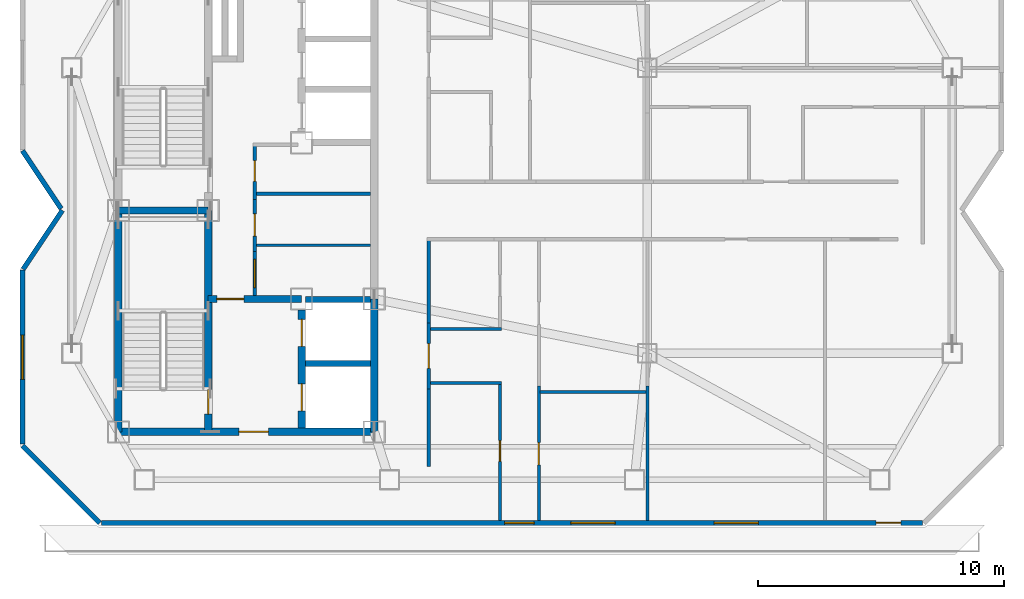
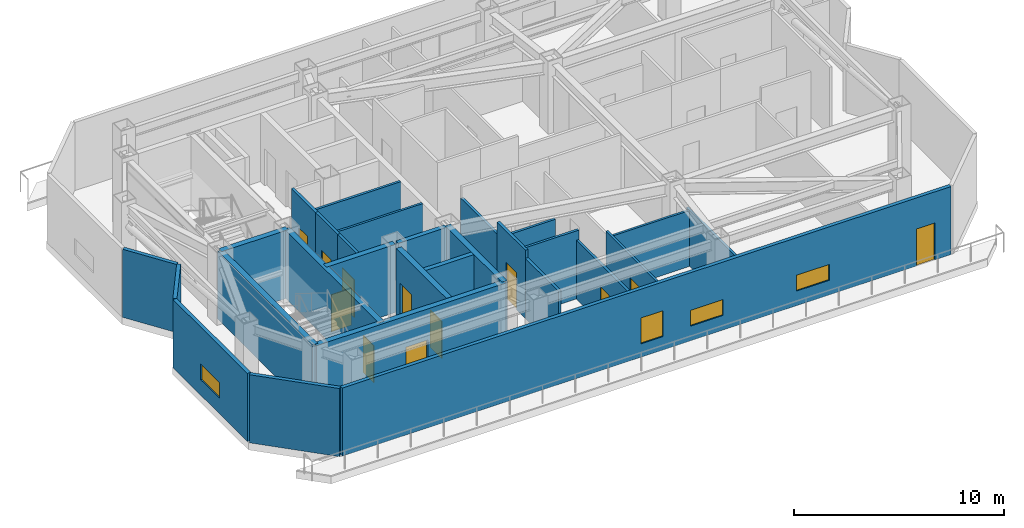
# One storey, part 5 of 12: 28 walls, 12 doors, 4 windows, 16 openings.
"""IFC4 building model written with IfcOpenShell, lengths in metres."""

from ifc_helpers import new_model, si_unit, direction, frame, frame_2d, origin, place, context, subcontext, project, spatial, rectangle, extrude, material, layer, layer_set, type_object, element, fill, save


model = new_model("IFC4")

# Units and contexts
model_context = context("Model", 3, precision=1e-05, world=origin(), true_north=direction((0.0, 1.0)))
body_context = subcontext(model_context, "Body", "Model", "MODEL_VIEW")
ifc_project = project(units=[si_unit("LENGTHUNIT", "METRE"), si_unit("AREAUNIT", "SQUARE_METRE"), si_unit("VOLUMEUNIT", "CUBIC_METRE"), si_unit("PLANEANGLEUNIT", "RADIAN"), si_unit("MASSUNIT", "GRAM", prefix="KILO")], contexts=[model_context])

# Site, building, storey
site_placement = place(None, origin())
site = spatial("IfcSite", under=ifc_project, at=site_placement, CompositionType="ELEMENT")
building_placement = place(site_placement, origin())
building = spatial("IfcBuilding", under=site, at=building_placement, Name="Khamvora Tower", CompositionType="ELEMENT")
storey_placement = place(building_placement, frame((0.0, 0.0, 286.25)))
storey = spatial("IfcBuildingStorey", under=building, at=storey_placement, Name="L73", CompositionType="ELEMENT", Elevation=286.25)

# Wall
ifc_material_1 = material(Name="Concrete C50/60", Category="concrete")
ifc_layer_1 = layer(ifc_material_1, 0.300048828125)
ifc_layer_set_1 = layer_set([ifc_layer_1], Name="Concrete C50/60")
wall_type_1 = type_object("IfcWallType", Name="WAL-CORE-300", PredefinedType="SHEAR", material=ifc_layer_set_1)
wall_1_placement = place(storey_placement, frame((29.0, 19.0, 0.0), z_axis=(0.0, 0.0, 1.0), x_axis=(0.0, 1.0, 0.0)))
element("IfcWall", 1, at=wall_1_placement, inside=storey, type_object=wall_type_1, Name="L73 central core west south wall", PredefinedType="SHEAR", context=body_context, shape_type="SweptSolid", body=[
    extrude(rectangle(XDim=9.0, YDim=0.300048828125, at=frame_2d((4.5, 0.0))), origin(), (0.0, 0.0, 1.0), 3.949951171875),
])

# Wall, opening, door
wall_2_placement = place(storey_placement, frame((29.0, 19.0, 0.0), z_axis=(0.0, 0.0, 1.0), x_axis=(1.0, 0.0, 0.0)))
wall_2 = element("IfcWall", 2, at=wall_2_placement, inside=storey, type_object=wall_type_1, Name="L73 central core south wall", PredefinedType="SHEAR", context=body_context, shape_type="SweptSolid", body=[
    extrude(rectangle(XDim=10.39990234375, YDim=0.300048828125, at=frame_2d((5.199951171875, 0.0))), origin(), (0.0, 0.0, 1.0), 3.949951171875),
])
opening_1_placement = place(wall_2_placement, frame((4.89990234375, 0.0, 0.0)))
opening_1 = element("IfcOpeningElement", 3, at=opening_1_placement, cuts=wall_2, Name="Opening D-CR1", PredefinedType="OPENING", context=body_context, shape_type="SweptSolid", body=[
    extrude(rectangle(XDim=1.199951171875, YDim=2.14990234375, at=frame_2d((0.60009765625, 1.074951171875))), frame((0.0, 0.159912109375, 0.0), z_axis=(0.0, -1.0, 0.0), x_axis=(1.0, 0.0, 0.0)), (0.0, 0.0, 1.0), 0.320068359375),
])
ifc_material_2 = material(Name="Powder-Coated Steel and Hardwood Leaf", Category="steel")
door_type_1 = type_object("IfcDoorType", Name="DOR-CORR-1200", OperationType="NOTDEFINED", PredefinedType="DOOR", material=ifc_material_2)
door_1_placement = place(opening_1_placement, origin())
door_1 = element("IfcDoor", 4, at=door_1_placement, inside=storey, type_object=door_type_1, Name="L73 south core lobby to corridor fire door", OperationType="SINGLE_SWING_LEFT", OverallHeight=2.14990234375, OverallWidth=1.199951171875, PredefinedType="DOOR", context=body_context, shape_type="SweptSolid", body=[
    extrude(rectangle(XDim=1.199951171875, YDim=2.14990234375, at=frame_2d((0.60009765625, 1.074951171875))), frame((0.0, 0.02490234375, 0.0), z_axis=(0.0, -1.0, 0.0), x_axis=(1.0, 0.0, 0.0)), (0.0, 0.0, 1.0), 0.050048828125),
])
fill(opening_1, door_1)

# Wall
wall_3_placement = place(storey_placement, frame((39.39990234375, 19.0, 0.0), z_axis=(0.0, 0.0, 1.0), x_axis=(0.0, 1.0, 0.0)))
element("IfcWall", 5, at=wall_3_placement, inside=storey, type_object=wall_type_1, Name="L73 central core east south wall", PredefinedType="SHEAR", context=body_context, shape_type="SweptSolid", body=[
    extrude(rectangle(XDim=5.39990234375, YDim=0.300048828125, at=frame_2d((2.699951171875, 0.0))), origin(), (0.0, 0.0, 1.0), 3.949951171875),
])

# Wall, opening, door
wall_4_placement = place(storey_placement, frame((32.64990234375, 19.0, 0.0), z_axis=(0.0, 0.0, 1.0), x_axis=(0.0, 1.0, 0.0)))
wall_4 = element("IfcWall", 6, at=wall_4_placement, inside=storey, type_object=wall_type_1, Name="L73 central core stair south spine wall", PredefinedType="SHEAR", context=body_context, shape_type="SweptSolid", body=[
    extrude(rectangle(XDim=9.0, YDim=0.300048828125, at=frame_2d((4.5, 0.0))), origin(), (0.0, 0.0, 1.0), 3.949951171875),
])
opening_2_placement = place(wall_4_placement, frame((0.719970703125, 0.0, 0.0)))
opening_2 = element("IfcOpeningElement", 7, at=opening_2_placement, cuts=wall_4, Name="Opening D-ST1", PredefinedType="OPENING", context=body_context, shape_type="SweptSolid", body=[
    extrude(rectangle(XDim=1.0, YDim=2.14990234375, at=frame_2d((0.5, 1.074951171875))), frame((0.0, 0.159912109375, 0.0), z_axis=(0.0, -1.0, 0.0), x_axis=(1.0, 0.0, 0.0)), (0.0, 0.0, 1.0), 0.320068359375),
])
door_type_2 = type_object("IfcDoorType", Name="DOR-STAIR-1000", OperationType="NOTDEFINED", PredefinedType="DOOR", material=ifc_material_2)
door_2_placement = place(opening_2_placement, origin())
door_2 = element("IfcDoor", 8, at=door_2_placement, inside=storey, type_object=door_type_2, Name="L73 exit stair ST-01 fire door", OperationType="SINGLE_SWING_RIGHT", OverallHeight=2.14990234375, OverallWidth=1.0, PredefinedType="DOOR", context=body_context, shape_type="SweptSolid", body=[
    extrude(rectangle(XDim=1.0, YDim=2.14990234375, at=frame_2d((0.5, 1.074951171875))), frame((0.0, 0.02490234375, 0.0), z_axis=(0.0, -1.0, 0.0), x_axis=(1.0, 0.0, 0.0)), (0.0, 0.0, 1.0), 0.050048828125),
])
fill(opening_2, door_2)

# Wall
wall_5_placement = place(storey_placement, frame((29.0, 28.0, 0.0), z_axis=(0.0, 0.0, 1.0), x_axis=(1.0, 0.0, 0.0)))
element("IfcWall", 9, at=wall_5_placement, inside=storey, type_object=wall_type_1, Name="L73 central core stair cross wall", PredefinedType="SHEAR", context=body_context, shape_type="SweptSolid", body=[
    extrude(rectangle(XDim=3.64990234375, YDim=0.300048828125, at=frame_2d((1.824951171875, 0.0))), origin(), (0.0, 0.0, 1.0), 3.949951171875),
])

# Wall, opening, door
wall_6_placement = place(storey_placement, frame((32.64990234375, 24.39990234375, 0.0), z_axis=(0.0, 0.0, 1.0), x_axis=(1.0, 0.0, 0.0)))
wall_6 = element("IfcWall", 10, at=wall_6_placement, inside=storey, type_object=wall_type_1, Name="L73 central core firefighting lobby north wall", PredefinedType="SHEAR", context=body_context, shape_type="SweptSolid", body=[
    extrude(rectangle(XDim=3.800048828125, YDim=0.300048828125, at=frame_2d((1.89990234375, 0.0))), origin(), (0.0, 0.0, 1.0), 3.949951171875),
])
opening_3_placement = place(wall_6_placement, frame((0.35009765625, 0.0, 0.0)))
opening_3 = element("IfcOpeningElement", 11, at=opening_3_placement, cuts=wall_6, Name="Opening D-FF1", PredefinedType="OPENING", context=body_context, shape_type="SweptSolid", body=[
    extrude(rectangle(XDim=1.10009765625, YDim=2.14990234375, at=frame_2d((0.550048828125, 1.074951171875))), frame((0.0, 0.159912109375, 0.0), z_axis=(0.0, -1.0, 0.0), x_axis=(1.0, 0.0, 0.0)), (0.0, 0.0, 1.0), 0.320068359375),
])
door_type_3 = type_object("IfcDoorType", Name="DOR-FFLOB-1100", OperationType="NOTDEFINED", PredefinedType="DOOR", material=ifc_material_2)
door_3_placement = place(opening_3_placement, origin())
door_3 = element("IfcDoor", 12, at=door_3_placement, inside=storey, type_object=door_type_3, Name="L73 firefighting lobby smoke-seal fire door", OperationType="SINGLE_SWING_RIGHT", OverallHeight=2.14990234375, OverallWidth=1.10009765625, PredefinedType="DOOR", context=body_context, shape_type="SweptSolid", body=[
    extrude(rectangle(XDim=1.10009765625, YDim=2.14990234375, at=frame_2d((0.550048828125, 1.074951171875))), frame((0.0, 0.02490234375, 0.0), z_axis=(0.0, -1.0, 0.0), x_axis=(1.0, 0.0, 0.0)), (0.0, 0.0, 1.0), 0.050048828125),
])
fill(opening_3, door_3)

# Wall, openings, doors
wall_7_placement = place(storey_placement, frame((36.449951171875, 19.154052734375, 0.0), z_axis=(0.0, 0.0, 1.0), x_axis=(0.0, 1.0, 0.0)))
wall_7 = element("IfcWall", 13, at=wall_7_placement, inside=storey, type_object=wall_type_1, Name="L73 central core lift bank south wall", PredefinedType="SHEAR", context=body_context, shape_type="SweptSolid", body=[
    extrude(rectangle(XDim=4.7958984375, YDim=0.300048828125, at=frame_2d((2.39794921875, 0.0))), origin(), (0.0, 0.0, 1.0), 3.949951171875),
])
opening_4_placement = place(wall_7_placement, frame((0.696044921875, 0.0, 0.0)))
opening_4 = element("IfcOpeningElement", 14, at=opening_4_placement, cuts=wall_7, Name="Opening LD-FFL", PredefinedType="OPENING", context=body_context, shape_type="SweptSolid", body=[
    extrude(rectangle(XDim=1.10009765625, YDim=2.14990234375, at=frame_2d((0.550048828125, 1.074951171875))), frame((0.0, 0.159912109375, 0.0), z_axis=(0.0, -1.0, 0.0), x_axis=(1.0, 0.0, 0.0)), (0.0, 0.0, 1.0), 0.320068359375),
])
opening_5_placement = place(wall_7_placement, frame((3.31591796875, 0.0, 0.0)))
opening_5 = element("IfcOpeningElement", 15, at=opening_5_placement, cuts=wall_7, Name="Opening LD-FFL", PredefinedType="OPENING", context=body_context, shape_type="SweptSolid", body=[
    extrude(rectangle(XDim=1.10009765625, YDim=2.14990234375, at=frame_2d((0.550048828125, 1.074951171875))), frame((0.0, 0.159912109375, 0.0), z_axis=(0.0, -1.0, 0.0), x_axis=(1.0, 0.0, 0.0)), (0.0, 0.0, 1.0), 0.320068359375),
])
door_type_4 = type_object("IfcDoorType", Name="DOR-LIFT-1100", OperationType="SLIDING_TO_LEFT", PredefinedType="DOOR", material=ifc_material_2)
door_4_placement = place(opening_4_placement, origin())
door_4 = element("IfcDoor", 16, at=door_4_placement, inside=storey, type_object=door_type_4, Name="L73 lift landing sliding door FFL-01", OperationType="SLIDING_TO_LEFT", OverallHeight=2.14990234375, OverallWidth=1.10009765625, PredefinedType="DOOR", context=body_context, shape_type="SweptSolid", body=[
    extrude(rectangle(XDim=1.10009765625, YDim=2.14990234375, at=frame_2d((0.550048828125, 1.074951171875))), frame((0.0, 0.02490234375, 0.0), z_axis=(0.0, -1.0, 0.0), x_axis=(1.0, 0.0, 0.0)), (0.0, 0.0, 1.0), 0.050048828125),
])
fill(opening_4, door_4)
door_5_placement = place(opening_5_placement, origin())
door_5 = element("IfcDoor", 17, at=door_5_placement, inside=storey, type_object=door_type_4, Name="L73 lift landing sliding door FFL-02", OperationType="SLIDING_TO_LEFT", OverallHeight=2.14990234375, OverallWidth=1.10009765625, PredefinedType="DOOR", context=body_context, shape_type="SweptSolid", body=[
    extrude(rectangle(XDim=1.10009765625, YDim=2.14990234375, at=frame_2d((0.550048828125, 1.074951171875))), frame((0.0, 0.02490234375, 0.0), z_axis=(0.0, -1.0, 0.0), x_axis=(1.0, 0.0, 0.0)), (0.0, 0.0, 1.0), 0.050048828125),
])
fill(opening_5, door_5)

# Wall, opening, door
ifc_material_3 = material(Name="Fire-Rated Drywall and Steel Stud", Category="steel")
ifc_layer_2 = layer(ifc_material_3, 0.14990234375)
ifc_layer_set_2 = layer_set([ifc_layer_2], Name="Fire-Rated Drywall and Steel Stud")
wall_type_2 = type_object("IfcWallType", Name="WAL-CORR-150", PredefinedType="STANDARD", material=ifc_layer_set_2)
wall_8_placement = place(storey_placement, frame((34.544921875, 30.72998046875, 0.0), z_axis=(0.0, 0.0, 1.0), x_axis=(0.0, -1.0, 0.0)))
wall_8 = element("IfcWall", 18, at=wall_8_placement, inside=storey, type_object=wall_type_2, Name="L73 interior partition wall 002", PredefinedType="STANDARD", context=body_context, shape_type="SweptSolid", body=[
    extrude(rectangle(XDim=2.2939453125, YDim=0.14990234375, at=frame_2d((1.14697265625, 0.0))), origin(), (0.0, 0.0, 1.0), 3.949951171875),
])
opening_6_placement = place(wall_8_placement, frame((0.700927734375, 0.0, 0.0)))
opening_6 = element("IfcOpeningElement", 19, at=opening_6_placement, cuts=wall_8, Name="Opening D-WC1", PredefinedType="OPENING", context=body_context, shape_type="SweptSolid", body=[
    extrude(rectangle(XDim=0.85009765625, YDim=2.10009765625, at=frame_2d((0.425048828125, 1.050048828125))), frame((0.0, 0.0849609375, 0.0), z_axis=(0.0, -1.0, 0.0), x_axis=(1.0, 0.0, 0.0)), (0.0, 0.0, 1.0), 0.169921875),
])
door_type_5 = type_object("IfcDoorType", Name="DOR-WET-850", OperationType="NOTDEFINED", PredefinedType="DOOR", material=ifc_material_2)
door_6_placement = place(opening_6_placement, origin())
door_6 = element("IfcDoor", 20, at=door_6_placement, inside=storey, type_object=door_type_5, Name="L73 interior door PHL-CS1", OperationType="SINGLE_SWING_LEFT", OverallHeight=2.10009765625, OverallWidth=0.85009765625, PredefinedType="DOOR", context=body_context, shape_type="SweptSolid", body=[
    extrude(rectangle(XDim=0.85009765625, YDim=2.10009765625, at=frame_2d((0.425048828125, 1.050048828125))), frame((0.0, 0.02490234375, 0.0), z_axis=(0.0, -1.0, 0.0), x_axis=(1.0, 0.0, 0.0)), (0.0, 0.0, 1.0), 0.050048828125),
])
fill(opening_6, door_6)

wall_9_placement = place(storey_placement, frame((34.544921875, 28.43603515625, 0.0), z_axis=(0.0, 0.0, 1.0), x_axis=(0.0, -1.0, 0.0)))
wall_9 = element("IfcWall", 21, at=wall_9_placement, inside=storey, type_object=wall_type_2, Name="L73 interior partition wall 003", PredefinedType="STANDARD", context=body_context, shape_type="SweptSolid", body=[
    extrude(rectangle(XDim=2.10009765625, YDim=0.14990234375, at=frame_2d((1.050048828125, 0.0))), origin(), (0.0, 0.0, 1.0), 3.949951171875),
])
opening_7_placement = place(wall_9_placement, frame((0.5791015625, 0.0, 0.0)))
opening_7 = element("IfcOpeningElement", 22, at=opening_7_placement, cuts=wall_9, Name="Opening D-RM1", PredefinedType="OPENING", context=body_context, shape_type="SweptSolid", body=[
    extrude(rectangle(XDim=0.89990234375, YDim=2.10009765625, at=frame_2d((0.449951171875, 1.050048828125))), frame((0.0, 0.0849609375, 0.0), z_axis=(0.0, -1.0, 0.0), x_axis=(1.0, 0.0, 0.0)), (0.0, 0.0, 1.0), 0.169921875),
])
door_type_6 = type_object("IfcDoorType", Name="DOR-ROOM-900", OperationType="NOTDEFINED", PredefinedType="DOOR", material=ifc_material_2)
door_7_placement = place(opening_7_placement, origin())
door_7 = element("IfcDoor", 23, at=door_7_placement, inside=storey, type_object=door_type_6, Name="L73 interior door PHL-CS2", OperationType="SINGLE_SWING_RIGHT", OverallHeight=2.10009765625, OverallWidth=0.89990234375, PredefinedType="DOOR", context=body_context, shape_type="SweptSolid", body=[
    extrude(rectangle(XDim=0.89990234375, YDim=2.10009765625, at=frame_2d((0.449951171875, 1.050048828125))), frame((0.0, 0.02490234375, 0.0), z_axis=(0.0, -1.0, 0.0), x_axis=(1.0, 0.0, 0.0)), (0.0, 0.0, 1.0), 0.050048828125),
])
fill(opening_7, door_7)

wall_10_placement = place(storey_placement, frame((34.544921875, 26.3359375, 0.0), z_axis=(0.0, 0.0, 1.0), x_axis=(0.0, -1.0, 0.0)))
wall_10 = element("IfcWall", 24, at=wall_10_placement, inside=storey, type_object=wall_type_2, Name="L73 interior partition wall 004", PredefinedType="STANDARD", context=body_context, shape_type="SweptSolid", body=[
    extrude(rectangle(XDim=1.7919921875, YDim=0.14990234375, at=frame_2d((0.89599609375, 0.0))), origin(), (0.0, 0.0, 1.0), 3.949951171875),
])
opening_8_placement = place(wall_10_placement, frame((0.321044921875, 0.0, 0.0)))
opening_8 = element("IfcOpeningElement", 25, at=opening_8_placement, cuts=wall_10, Name="Opening D-SC1", PredefinedType="OPENING", context=body_context, shape_type="SweptSolid", body=[
    extrude(rectangle(XDim=1.14990234375, YDim=2.199951171875, at=frame_2d((0.574951171875, 1.10009765625))), frame((0.0, 0.0849609375, 0.0), z_axis=(0.0, -1.0, 0.0), x_axis=(1.0, 0.0, 0.0)), (0.0, 0.0, 1.0), 0.169921875),
])
door_type_7 = type_object("IfcDoorType", Name="DOR-SCHL-1150", OperationType="NOTDEFINED", PredefinedType="DOOR", material=ifc_material_2)
door_8_placement = place(opening_8_placement, origin())
door_8 = element("IfcDoor", 26, at=door_8_placement, inside=storey, type_object=door_type_7, Name="L73 interior door PHL-CS3", OperationType="SINGLE_SWING_LEFT", OverallHeight=2.199951171875, OverallWidth=1.14990234375, PredefinedType="DOOR", context=body_context, shape_type="SweptSolid", body=[
    extrude(rectangle(XDim=1.14990234375, YDim=2.199951171875, at=frame_2d((0.574951171875, 1.10009765625))), frame((0.0, 0.02490234375, 0.0), z_axis=(0.0, -1.0, 0.0), x_axis=(1.0, 0.0, 0.0)), (0.0, 0.0, 1.0), 0.050048828125),
])
fill(opening_8, door_8)

wall_11_placement = place(storey_placement, frame((41.614990234375, 23.43310546875, 0.0), z_axis=(0.0, 0.0, 1.0), x_axis=(0.0, -1.0, 0.0)))
wall_11 = element("IfcWall", 27, at=wall_11_placement, inside=storey, type_object=wall_type_2, Name="L73 interior partition wall 010", PredefinedType="STANDARD", context=body_context, shape_type="SweptSolid", body=[
    extrude(rectangle(XDim=2.697998046875, YDim=0.14990234375, at=frame_2d((1.34912109375, 0.0))), origin(), (0.0, 0.0, 1.0), 3.949951171875),
])
opening_9_placement = place(wall_11_placement, frame((0.84912109375, 0.0, 0.0)))
opening_9 = element("IfcOpeningElement", 28, at=opening_9_placement, cuts=wall_11, Name="Opening D-U1", PredefinedType="OPENING", context=body_context, shape_type="SweptSolid", body=[
    extrude(rectangle(XDim=1.0, YDim=2.14990234375, at=frame_2d((0.5, 1.074951171875))), frame((0.0, 0.0849609375, 0.0), z_axis=(0.0, -1.0, 0.0), x_axis=(1.0, 0.0, 0.0)), (0.0, 0.0, 1.0), 0.169921875),
])
door_type_8 = type_object("IfcDoorType", Name="DOR-UNIT-1000", OperationType="NOTDEFINED", PredefinedType="DOOR", material=ifc_material_2)
door_9_placement = place(opening_9_placement, origin())
door_9 = element("IfcDoor", 29, at=door_9_placement, inside=storey, type_object=door_type_8, Name="L73 interior door COR-73BH", OperationType="SINGLE_SWING_RIGHT", OverallHeight=2.14990234375, OverallWidth=1.0, PredefinedType="DOOR", context=body_context, shape_type="SweptSolid", body=[
    extrude(rectangle(XDim=1.0, YDim=2.14990234375, at=frame_2d((0.5, 1.074951171875))), frame((0.0, 0.02490234375, 0.0), z_axis=(0.0, -1.0, 0.0), x_axis=(1.0, 0.0, 0.0)), (0.0, 0.0, 1.0), 0.050048828125),
])
fill(opening_9, door_9)

# Walls
wall_12_placement = place(storey_placement, frame((41.614990234375, 26.89794921875, 0.0), z_axis=(0.0, 0.0, 1.0), x_axis=(0.0, -1.0, 0.0)))
element("IfcWall", 30, at=wall_12_placement, inside=storey, type_object=wall_type_2, Name="L73 interior partition wall 012", PredefinedType="STANDARD", context=body_context, shape_type="SweptSolid", body=[
    extrude(rectangle(XDim=3.46484375, YDim=0.14990234375, at=frame_2d((1.732421875, 0.0))), origin(), (0.0, 0.0, 1.0), 3.2451171875),
])
wall_13_placement = place(storey_placement, frame((41.614990234375, 20.735107421875, 0.0), z_axis=(0.0, 0.0, 1.0), x_axis=(0.0, -1.0, 0.0)))
element("IfcWall", 31, at=wall_13_placement, inside=storey, type_object=wall_type_2, Name="L73 interior partition wall 013", PredefinedType="STANDARD", context=body_context, shape_type="SweptSolid", body=[
    extrude(rectangle(XDim=3.135009765625, YDim=0.14990234375, at=frame_2d((1.5673828125, 0.0))), origin(), (0.0, 0.0, 1.0), 3.47705078125),
])
ifc_material_4 = material(Name="Precast concrete C40/50", Category="concrete")
ifc_layer_3 = layer(ifc_material_4, 0.199951171875)
ifc_layer_set_3 = layer_set([ifc_layer_3], Name="Precast concrete C40/50")
wall_type_3 = type_object("IfcWallType", Name="WAL-EXT-200", PredefinedType="STANDARD", material=ifc_layer_set_3)
wall_14_placement = place(storey_placement, frame((28.240966796875, 15.300048828125, 0.0), z_axis=(0.0, 0.0, 1.0), x_axis=(-0.707106781187, 0.707106781187, 0.0)))
element("IfcWall", 32, at=wall_14_placement, inside=storey, type_object=wall_type_3, Name="L73 exterior facade wall 01.1", PredefinedType="STANDARD", context=body_context, shape_type="SweptSolid", body=[
    extrude(rectangle(XDim=4.44189453125, YDim=0.199951171875, at=frame_2d((2.220947265625, 0.0))), origin(), (0.0, 0.0, 1.0), 3.949951171875),
])

# Wall, opening, window
wall_15_placement = place(storey_placement, frame((25.10009765625, 18.50390625, 0.0), z_axis=(0.0, 0.0, 1.0), x_axis=(0.0, 1.0, 0.0)))
wall_15 = element("IfcWall", 33, at=wall_15_placement, inside=storey, type_object=wall_type_3, Name="L73 exterior facade wall 02.1", PredefinedType="STANDARD", context=body_context, shape_type="SweptSolid", body=[
    extrude(rectangle(XDim=7.066162109375, YDim=0.199951171875, at=frame_2d((3.533203125, 0.0))), origin(), (0.0, 0.0, 1.0), 3.949951171875),
])
opening_10_placement = place(wall_15_placement, frame((2.633056640625, 0.0, 0.89990234375)))
opening_10 = element("IfcOpeningElement", 34, at=opening_10_placement, cuts=wall_15, Name="Opening WN-09", PredefinedType="OPENING", context=body_context, shape_type="SweptSolid", body=[
    extrude(rectangle(XDim=1.800048828125, YDim=0.919921875, at=frame_2d((0.89990234375, 0.4599609375))), frame((0.0, 0.10986328125, 0.0), z_axis=(0.0, -1.0, 0.0), x_axis=(1.0, 0.0, 0.0)), (0.0, 0.0, 1.0), 0.219970703125),
])
ifc_material_5 = material(Name="Low-E Laminated Double Glazing", Category="glass")
window_type_1 = type_object("IfcWindowType", Name="WIN-CLR-1800x920", PartitioningType="SINGLE_PANEL", PredefinedType="WINDOW", material=ifc_material_5)
window_1_placement = place(opening_10_placement, origin())
window_1 = element("IfcWindow", 35, at=window_1_placement, inside=storey, type_object=window_type_1, Name="L73 vision window 02.1.01", OverallHeight=0.919921875, OverallWidth=1.800048828125, PartitioningType="SINGLE_PANEL", PredefinedType="WINDOW", context=body_context, shape_type="SweptSolid", body=[
    extrude(rectangle(XDim=1.800048828125, YDim=0.919921875, at=frame_2d((0.89990234375, 0.4599609375))), frame((0.0, 0.030029296875, 0.0), z_axis=(0.0, -1.0, 0.0), x_axis=(1.0, 0.0, 0.0)), (0.0, 0.0, 1.0), 0.06005859375),
])
fill(opening_10, window_1)

# Walls
wall_16_placement = place(storey_placement, frame((25.1259765625, 25.60888671875, 0.0), z_axis=(0.0, 0.0, 1.0), x_axis=(0.554680590739, 0.832063364328, 0.0)))
element("IfcWall", 36, at=wall_16_placement, inside=storey, type_object=wall_type_3, Name="L73 exterior facade wall 03.1", PredefinedType="STANDARD", context=body_context, shape_type="SweptSolid", body=[
    extrude(rectangle(XDim=2.873779296875, YDim=0.199951171875, at=frame_2d((1.43701171875, 0.0))), origin(), (0.0, 0.0, 1.0), 3.949951171875),
])
wall_17_placement = place(storey_placement, frame((26.674072265625, 28.069091796875, 0.0), z_axis=(0.0, 0.0, 1.0), x_axis=(-0.554720052174, 0.832037056696, 0.0)))
element("IfcWall", 37, at=wall_17_placement, inside=storey, type_object=wall_type_3, Name="L73 exterior facade wall 04.1", PredefinedType="STANDARD", context=body_context, shape_type="SweptSolid", body=[
    extrude(rectangle(XDim=2.83740234375, YDim=0.199951171875, at=frame_2d((1.418701171875, 0.0))), origin(), (0.0, 0.0, 1.0), 3.949951171875),
])

# Wall, openings, door, windows
wall_18_placement = place(storey_placement, frame((61.696044921875, 15.300048828125, 0.0), z_axis=(0.0, 0.0, 1.0), x_axis=(-1.0, 0.0, 0.0)))
wall_18 = element("IfcWall", 38, at=wall_18_placement, inside=storey, type_object=wall_type_3, Name="L73 exterior facade wall 14.1", PredefinedType="STANDARD", context=body_context, shape_type="SweptSolid", body=[
    extrude(rectangle(XDim=33.39306640625, YDim=0.199951171875, at=frame_2d((16.696533203125, 0.0))), origin(), (0.0, 0.0, 1.0), 3.949951171875),
])
opening_11_placement = place(wall_18_placement, frame((0.89111328125, 0.0, 0.0)))
opening_11 = element("IfcOpeningElement", 39, at=opening_11_placement, cuts=wall_18, Name="Opening BD-02", PredefinedType="OPENING", context=body_context, shape_type="SweptSolid", body=[
    extrude(rectangle(XDim=1.0, YDim=2.14990234375, at=frame_2d((0.5, 1.074951171875))), frame((0.0, 0.10986328125, 0.0), z_axis=(0.0, -1.0, 0.0), x_axis=(1.0, 0.0, 0.0)), (0.0, 0.0, 1.0), 0.219970703125),
])
opening_12_placement = place(wall_18_placement, frame((6.677978515625, 0.0, 0.85009765625)))
opening_12 = element("IfcOpeningElement", 40, at=opening_12_placement, cuts=wall_18, Name="Opening WN-09", PredefinedType="OPENING", context=body_context, shape_type="SweptSolid", body=[
    extrude(rectangle(XDim=1.800048828125, YDim=0.919921875, at=frame_2d((0.89990234375, 0.4599609375))), frame((0.0, 0.10986328125, 0.0), z_axis=(0.0, -1.0, 0.0), x_axis=(1.0, 0.0, 0.0)), (0.0, 0.0, 1.0), 0.219970703125),
])
opening_13_placement = place(wall_18_placement, frame((15.7958984375, 0.0, 0.780029296875)))
opening_13 = element("IfcOpeningElement", 41, at=opening_13_placement, cuts=wall_18, Name="Opening WN-03", PredefinedType="OPENING", context=body_context, shape_type="SweptSolid", body=[
    extrude(rectangle(XDim=1.199951171875, YDim=1.5, at=frame_2d((0.60009765625, 0.75))), frame((0.0, 0.10986328125, 0.0), z_axis=(0.0, -1.0, 0.0), x_axis=(1.0, 0.0, 0.0)), (0.0, 0.0, 1.0), 0.219970703125),
])
opening_14_placement = place(wall_18_placement, frame((12.5029296875, 0.0, 0.85009765625)))
opening_14 = element("IfcOpeningElement", 42, at=opening_14_placement, cuts=wall_18, Name="Opening WN-09", PredefinedType="OPENING", context=body_context, shape_type="SweptSolid", body=[
    extrude(rectangle(XDim=1.800048828125, YDim=0.919921875, at=frame_2d((0.89990234375, 0.4599609375))), frame((0.0, 0.10986328125, 0.0), z_axis=(0.0, -1.0, 0.0), x_axis=(1.0, 0.0, 0.0)), (0.0, 0.0, 1.0), 0.219970703125),
])
ifc_material_6 = material(Name="Anodised Aluminium and Laminated Safety Glass", Category="aluminium")
door_type_9 = type_object("IfcDoorType", Name="DOR-BAL-1000", OperationType="NOTDEFINED", PredefinedType="DOOR", material=ifc_material_6)
door_10_placement = place(opening_11_placement, origin())
door_10 = element("IfcDoor", 43, at=door_10_placement, inside=storey, type_object=door_type_9, Name="L73 stepped roof terrace access door S", OperationType="SLIDING_TO_LEFT", OverallHeight=2.14990234375, OverallWidth=1.0, PredefinedType="DOOR", context=body_context, shape_type="SweptSolid", body=[
    extrude(rectangle(XDim=1.0, YDim=2.14990234375, at=frame_2d((0.5, 1.074951171875))), frame((0.0, 0.02490234375, 0.0), z_axis=(0.0, -1.0, 0.0), x_axis=(1.0, 0.0, 0.0)), (0.0, 0.0, 1.0), 0.050048828125),
])
fill(opening_11, door_10)
window_2_placement = place(opening_12_placement, origin())
window_2 = element("IfcWindow", 44, at=window_2_placement, inside=storey, type_object=window_type_1, Name="L73 vision window 14.1.01", OverallHeight=0.919921875, OverallWidth=1.800048828125, PartitioningType="SINGLE_PANEL", PredefinedType="WINDOW", context=body_context, shape_type="SweptSolid", body=[
    extrude(rectangle(XDim=1.800048828125, YDim=0.919921875, at=frame_2d((0.89990234375, 0.4599609375))), frame((0.0, 0.030029296875, 0.0), z_axis=(0.0, -1.0, 0.0), x_axis=(1.0, 0.0, 0.0)), (0.0, 0.0, 1.0), 0.06005859375),
])
fill(opening_12, window_2)
window_3_placement = place(opening_14_placement, origin())
window_3 = element("IfcWindow", 45, at=window_3_placement, inside=storey, type_object=window_type_1, Name="L73 vision window 14.1.03", OverallHeight=0.919921875, OverallWidth=1.800048828125, PartitioningType="SINGLE_PANEL", PredefinedType="WINDOW", context=body_context, shape_type="SweptSolid", body=[
    extrude(rectangle(XDim=1.800048828125, YDim=0.919921875, at=frame_2d((0.89990234375, 0.4599609375))), frame((0.0, 0.030029296875, 0.0), z_axis=(0.0, -1.0, 0.0), x_axis=(1.0, 0.0, 0.0)), (0.0, 0.0, 1.0), 0.06005859375),
])
fill(opening_14, window_3)
window_type_2 = type_object("IfcWindowType", Name="WIN-VIS-1200x1500", PartitioningType="SINGLE_PANEL", PredefinedType="WINDOW", material=ifc_material_5)
window_4_placement = place(opening_13_placement, origin())
window_4 = element("IfcWindow", 46, at=window_4_placement, inside=storey, type_object=window_type_2, Name="L73 vision window 14.1.02", OverallHeight=1.5, OverallWidth=1.199951171875, PartitioningType="SINGLE_PANEL", PredefinedType="WINDOW", context=body_context, shape_type="SweptSolid", body=[
    extrude(rectangle(XDim=1.199951171875, YDim=1.5, at=frame_2d((0.60009765625, 0.75))), frame((0.0, 0.030029296875, 0.0), z_axis=(0.0, -1.0, 0.0), x_axis=(1.0, 0.0, 0.0)), (0.0, 0.0, 1.0), 0.06005859375),
])
fill(opening_13, window_4)

# Walls
ifc_material_7 = material(Name="Gypsum Plasterboard Partition", Category="gypsum")
ifc_layer_4 = layer(ifc_material_7, 0.1201171875)
ifc_layer_set_4 = layer_set([ifc_layer_4], Name="Gypsum Plasterboard Partition")
wall_type_4 = type_object("IfcWallType", Name="WAL-PART-120", PredefinedType="PARTITIONING", material=ifc_layer_set_4)
wall_19_placement = place(storey_placement, frame((39.256103515625, 26.5849609375, 0.0), z_axis=(0.0, 0.0, 1.0), x_axis=(-1.0, 0.0, 0.0)))
element("IfcWall", 47, at=wall_19_placement, inside=storey, type_object=wall_type_4, Name="L73 interior partition wall 006", PredefinedType="PARTITIONING", context=body_context, shape_type="SweptSolid", body=[
    extrude(rectangle(XDim=4.64404296875, YDim=0.1201171875, at=frame_2d((2.322021484375, 0.0))), origin(), (0.0, 0.0, 1.0), 3.949951171875),
])
wall_20_placement = place(storey_placement, frame((50.5048828125, 15.39208984375, 0.0), z_axis=(0.0, 0.0, 1.0), x_axis=(0.0, 1.0, 0.0)))
element("IfcWall", 48, at=wall_20_placement, inside=storey, type_object=wall_type_4, Name="L73 interior partition wall 025", PredefinedType="PARTITIONING", context=body_context, shape_type="SweptSolid", body=[
    extrude(rectangle(XDim=5.473876953125, YDim=0.1201171875, at=frame_2d((2.73681640625, 0.0))), origin(), (0.0, 0.0, 1.0), 3.2451171875),
])

# Wall, opening, door
wall_21_placement = place(storey_placement, frame((46.090087890625, 20.87109375, 0.0), z_axis=(0.0, 0.0, 1.0), x_axis=(0.0, -1.0, 0.0)))
wall_21 = element("IfcWall", 49, at=wall_21_placement, inside=storey, type_object=wall_type_4, Name="L73 interior partition wall 031", PredefinedType="PARTITIONING", context=body_context, shape_type="SweptSolid", body=[
    extrude(rectangle(XDim=5.47900390625, YDim=0.1201171875, at=frame_2d((2.739501953125, 0.0))), origin(), (0.0, 0.0, 1.0), 3.406982421875),
])
opening_15_placement = place(wall_21_placement, frame((2.31005859375, 0.0, 0.0)))
opening_15 = element("IfcOpeningElement", 50, at=opening_15_placement, cuts=wall_21, Name="Opening D-RM1", PredefinedType="OPENING", context=body_context, shape_type="SweptSolid", body=[
    extrude(rectangle(XDim=0.89990234375, YDim=2.10009765625, at=frame_2d((0.449951171875, 1.050048828125))), frame((0.0, 0.070068359375, 0.0), z_axis=(0.0, -1.0, 0.0), x_axis=(1.0, 0.0, 0.0)), (0.0, 0.0, 1.0), 0.14013671875),
])
door_11_placement = place(opening_15_placement, origin())
door_11 = element("IfcDoor", 51, at=door_11_placement, inside=storey, type_object=door_type_6, Name="L73 interior door 73BH-73BL", OperationType="SINGLE_SWING_LEFT", OverallHeight=2.10009765625, OverallWidth=0.89990234375, PredefinedType="DOOR", context=body_context, shape_type="SweptSolid", body=[
    extrude(rectangle(XDim=0.89990234375, YDim=2.10009765625, at=frame_2d((0.449951171875, 1.050048828125))), frame((0.0, 0.02490234375, 0.0), z_axis=(0.0, -1.0, 0.0), x_axis=(1.0, 0.0, 0.0)), (0.0, 0.0, 1.0), 0.050048828125),
])
fill(opening_15, door_11)

# Walls
wall_22_placement = place(storey_placement, frame((46.14404296875, 20.6220703125, 0.0), z_axis=(0.0, 0.0, 1.0), x_axis=(1.0, 0.0, 0.0)))
element("IfcWall", 52, at=wall_22_placement, inside=storey, type_object=wall_type_4, Name="L73 interior partition wall 033", PredefinedType="PARTITIONING", context=body_context, shape_type="SweptSolid", body=[
    extrude(rectangle(XDim=4.306884765625, YDim=0.1201171875, at=frame_2d((2.1533203125, 0.0))), origin(), (0.0, 0.0, 1.0), 3.2451171875),
])
ifc_material_8 = material(Name="Concrete C40/50", Category="concrete")
ifc_layer_5 = layer(ifc_material_8, 0.25)
ifc_layer_set_5 = layer_set([ifc_layer_5], Name="Concrete C40/50")
wall_type_5 = type_object("IfcWallType", Name="WAL-PODS-250", PredefinedType="SHEAR", material=ifc_layer_set_5)
for number, where, z_axis, x_axis, name in (
    (53, (36.60400390625, 21.77490234375, 0.0), (0.0, 0.0, 1.0), (1.0, 0.0, 0.0), "L73 lift shaft divider wall FFL-01"),
    (54, (36.60400390625, 24.375, 0.0), (0.0, 0.0, 1.0), (1.0, 0.0, 0.0), "L73 lift shaft divider wall FFL-02"),
):
    element("IfcWall", number, at=place(storey_placement, frame(where, z_axis=z_axis, x_axis=x_axis)), inside=storey, type_object=wall_type_5, Name=name, PredefinedType="SHEAR", context=body_context, shape_type="SweptSolid", body=[
        extrude(rectangle(XDim=2.64208984375, YDim=0.25, at=frame_2d((1.321044921875, 0.0))), origin(), (0.0, 0.0, 1.0), 3.949951171875),
    ])
ifc_material_9 = material(Name="Moisture-Resistant Plasterboard Partition", Category="gypsum")
ifc_layer_6 = layer(ifc_material_9, 0.135009765625)
ifc_layer_set_6 = layer_set([ifc_layer_6], Name="Moisture-Resistant Plasterboard Partition")
wall_type_6 = type_object("IfcWallType", Name="WAL-WET-135", PredefinedType="PARTITIONING", material=ifc_layer_set_6)
wall_23_placement = place(storey_placement, frame((39.256103515625, 28.68505859375, 0.0), z_axis=(0.0, 0.0, 1.0), x_axis=(-1.0, 0.0, 0.0)))
element("IfcWall", 55, at=wall_23_placement, inside=storey, type_object=wall_type_6, Name="L73 interior partition wall 005", PredefinedType="PARTITIONING", context=body_context, shape_type="SweptSolid", body=[
    extrude(rectangle(XDim=4.64404296875, YDim=0.135009765625, at=frame_2d((2.322021484375, 0.0))), origin(), (0.0, 0.0, 1.0), 3.949951171875),
])
wall_24_placement = place(storey_placement, frame((41.681884765625, 23.18408203125, 0.0), z_axis=(0.0, 0.0, 1.0), x_axis=(1.0, 0.0, 0.0)))
element("IfcWall", 56, at=wall_24_placement, inside=storey, type_object=wall_type_6, Name="L73 interior partition wall 027", PredefinedType="PARTITIONING", context=body_context, shape_type="SweptSolid", body=[
    extrude(rectangle(XDim=2.89306640625, YDim=0.135009765625, at=frame_2d((1.446533203125, 0.0))), origin(), (0.0, 0.0, 1.0), 3.2451171875),
])

# Wall, opening, door
wall_25_placement = place(storey_placement, frame((44.510009765625, 15.39208984375, 0.0), z_axis=(0.0, 0.0, 1.0), x_axis=(0.0, 1.0, 0.0)))
wall_25 = element("IfcWall", 57, at=wall_25_placement, inside=storey, type_object=wall_type_6, Name="L73 interior partition wall 029", PredefinedType="PARTITIONING", context=body_context, shape_type="SweptSolid", body=[
    extrude(rectangle(XDim=5.656982421875, YDim=0.135009765625, at=frame_2d((2.82861328125, 0.0))), origin(), (0.0, 0.0, 1.0), 3.406982421875),
])
opening_16_placement = place(wall_25_placement, frame((2.404052734375, 0.0, 0.0)))
opening_16 = element("IfcOpeningElement", 58, at=opening_16_placement, cuts=wall_25, Name="Opening D-RM2", PredefinedType="OPENING", context=body_context, shape_type="SweptSolid", body=[
    extrude(rectangle(XDim=0.85009765625, YDim=2.10009765625, at=frame_2d((0.425048828125, 1.050048828125))), frame((0.0, 0.077392578125, 0.0), z_axis=(0.0, -1.0, 0.0), x_axis=(1.0, 0.0, 0.0)), (0.0, 0.0, 1.0), 0.155029296875),
])
door_type_10 = type_object("IfcDoorType", Name="DOR-ROOM-850", OperationType="NOTDEFINED", PredefinedType="DOOR", material=ifc_material_2)
door_12_placement = place(opening_16_placement, origin())
door_12 = element("IfcDoor", 59, at=door_12_placement, inside=storey, type_object=door_type_10, Name="L73 interior door 73BH-73BK", OperationType="SINGLE_SWING_RIGHT", OverallHeight=2.10009765625, OverallWidth=0.85009765625, PredefinedType="DOOR", context=body_context, shape_type="SweptSolid", body=[
    extrude(rectangle(XDim=0.85009765625, YDim=2.10009765625, at=frame_2d((0.425048828125, 1.050048828125))), frame((0.0, 0.02490234375, 0.0), z_axis=(0.0, -1.0, 0.0), x_axis=(1.0, 0.0, 0.0)), (0.0, 0.0, 1.0), 0.050048828125),
])
fill(opening_16, door_12)

# Wall
wall_26_placement = place(storey_placement, frame((44.574951171875, 20.98388671875, 0.0), z_axis=(0.0, 0.0, 1.0), x_axis=(-1.0, 0.0, 0.0)))
element("IfcWall", 60, at=wall_26_placement, inside=storey, type_object=wall_type_6, Name="L73 interior partition wall 030", PredefinedType="PARTITIONING", context=body_context, shape_type="SweptSolid", body=[
    extrude(rectangle(XDim=2.89306640625, YDim=0.135009765625, at=frame_2d((1.446533203125, 0.0))), origin(), (0.0, 0.0, 1.0), 3.949951171875),
])

save(model, "model.ifc")
